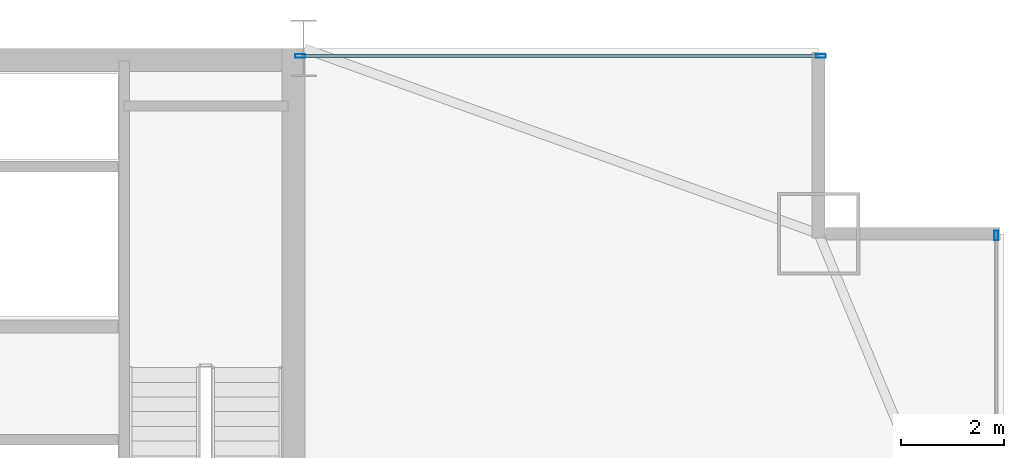
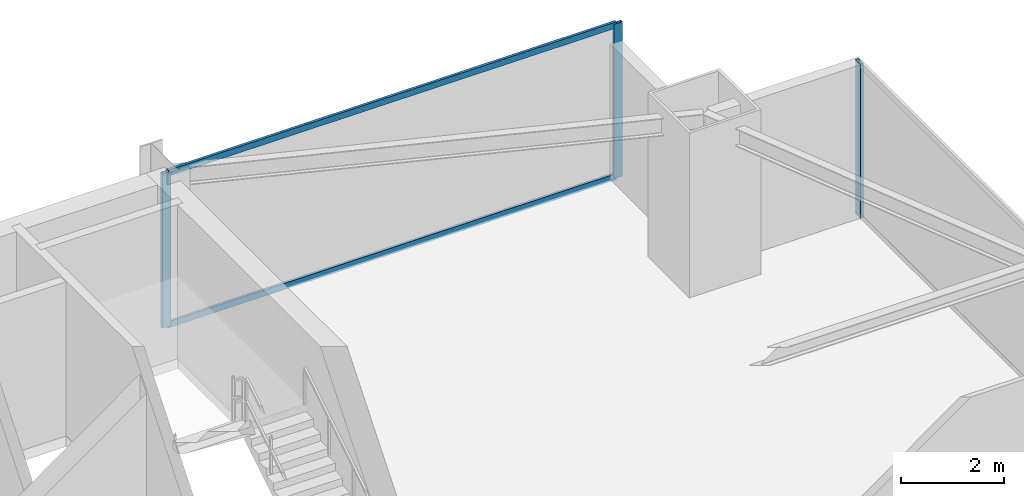
# One storey, part 24 of 30: 5 members, 2 elements without a shape of their own.
"""IFC4 building model written with IfcOpenShell, lengths in metres."""

from ifc_helpers import new_model, si_unit, direction, frame, origin, origin_2d, place, context, subcontext, project, spatial, hollow_rectangle, extrude, source, transform, mapped, material, layer, layer_set, material_profile, profile_set, type_object, type_shapes, element, aggregate, save


model = new_model("IFC4")

# Units and contexts
model_context = context("Model", 3, precision=1e-05, world=origin(), true_north=direction((0.0, 1.0)))
body_context = subcontext(model_context, "Body", "Model", "MODEL_VIEW")
ifc_project = project(units=[si_unit("LENGTHUNIT", "METRE"), si_unit("AREAUNIT", "SQUARE_METRE"), si_unit("VOLUMEUNIT", "CUBIC_METRE"), si_unit("PLANEANGLEUNIT", "RADIAN"), si_unit("MASSUNIT", "GRAM", prefix="KILO")], contexts=[model_context])

# Site, building, storey
site_placement = place(None, origin())
site = spatial("IfcSite", under=ifc_project, at=site_placement, CompositionType="ELEMENT")
building_placement = place(site_placement, origin())
building = spatial("IfcBuilding", under=site, at=building_placement, Name="Varnel Quay Broadcast Tower", CompositionType="ELEMENT")
storey_placement = place(building_placement, frame((0.0, 0.0, 62.699951171875)))
storey = spatial("IfcBuildingStorey", under=building, at=storey_placement, Name="L14", CompositionType="ELEMENT", Elevation=62.699951171875)

# Curtain wall, members
ifc_material = material(Name="Anodised Bronze Aluminium 6063-T6", Category="aluminium")
ifc_layer = layer(ifc_material, 0.18994140625, Name="Anodised Bronze Aluminium 6063-T6")
ifc_layer_set = layer_set([ifc_layer], Name="Anodised Bronze Aluminium 6063-T6")
curtain_wall_type = type_object("IfcCurtainWallType", Name="CW_LowerTower", PredefinedType="NOTDEFINED", material=ifc_layer_set)
curtain_wall_1_placement = place(storey_placement, origin())
curtain_wall_1 = element("IfcCurtainWall", 1, at=curtain_wall_1_placement, inside=storey, type_object=curtain_wall_type, Name="L14 NE Wing Curtain Wall", PredefinedType="NOTDEFINED")
ifc_material_profile_1 = material_profile(ifc_material, hollow_rectangle(XDim=0.06005859375, YDim=0.14501953125, WallThickness=0.00341796875, at=origin_2d()), Name="ALU60X145X3.5")
ifc_profile_set_1 = profile_set([ifc_material_profile_1], Name="Anodised Bronze Aluminium 6063-T6")
member_type_1 = type_object("IfcMemberType", Name="Tran_CWS-02", PredefinedType="USERDEFINED", material=ifc_profile_set_1)
shared_shape_1 = source(origin(), body_context, "Body", "SweptSolid", [
    extrude(hollow_rectangle(XDim=0.06005859375, YDim=0.14501953125, WallThickness=0.00341796875, at=origin_2d()), origin(), (0.0, 0.0, 1.0), 10.039794921875),
])
type_shapes(member_type_1, [shared_shape_1])
member_1_placement = place(storey_placement, frame((52.3701171875, 46.64990234375, 0.030029296875), z_axis=(1.0, 0.0, 0.0), x_axis=(0.0, 1.0, 0.0)))
member_1 = element("IfcMember", 2, at=member_1_placement, type_object=member_type_1, Name="CWS-02 transom 1.1", ObjectType="TRANSOM", PredefinedType="USERDEFINED", context=body_context, shape_type="MappedRepresentation", body=[
    mapped(shared_shape_1, transform((0.0, 0.0, 0.0), x_axis=(1.0, 0.0, 0.0), y_axis=(0.0, 1.0, 0.0), z_axis=(0.0, 0.0, 1.0), scale=1.0)),
])
member_2_placement = place(storey_placement, frame((52.3701171875, 46.64990234375, 3.6201171875), z_axis=(1.0, 0.0, 0.0), x_axis=(0.0, 1.0, 0.0)))
member_2 = element("IfcMember", 3, at=member_2_placement, type_object=member_type_1, Name="CWS-02 transom 1.2", ObjectType="TRANSOM", PredefinedType="USERDEFINED", context=body_context, shape_type="MappedRepresentation", body=[
    mapped(shared_shape_1, transform((0.0, 0.0, 0.0), x_axis=(1.0, 0.0, 0.0), y_axis=(0.0, 1.0, 0.0), z_axis=(0.0, 0.0, 1.0), scale=1.0)),
])

# Curtain wall, member
curtain_wall_2_placement = place(storey_placement, origin())
curtain_wall_2 = element("IfcCurtainWall", 4, at=curtain_wall_2_placement, inside=storey, type_object=curtain_wall_type, Name="L14 East Unitised Curtain Wall", PredefinedType="NOTDEFINED")
ifc_material_profile_2 = material_profile(ifc_material, hollow_rectangle(XDim=0.070068359375, YDim=0.18994140625, WallThickness=0.00390625, at=origin_2d()), Name="ALU70X190X4")
ifc_profile_set_2 = profile_set([ifc_material_profile_2], Name="Anodised Bronze Aluminium 6063-T6")
member_type_2 = type_object("IfcMemberType", Name="Mull_CWS-02", PredefinedType="MULLION", material=ifc_profile_set_2)
shared_shape_2 = source(origin(), body_context, "Body", "SweptSolid", [
    extrude(hollow_rectangle(XDim=0.070068359375, YDim=0.18994140625, WallThickness=0.00390625, at=origin_2d()), origin(), (0.0, 0.0, 1.0), 3.650146484375),
])
type_shapes(member_type_2, [shared_shape_2])
member_3_placement = place(storey_placement, frame((65.85009765625, 43.1650390625, 0.0), z_axis=(0.0, 0.0, 1.0), x_axis=(-1.0, 0.0, 0.0)))
member_3 = element("IfcMember", 5, at=member_3_placement, type_object=member_type_2, Name="CWS-02 mullion 4", PredefinedType="MULLION", context=body_context, shape_type="MappedRepresentation", body=[
    mapped(shared_shape_2, transform((0.0, 0.0, 0.0), x_axis=(1.0, 0.0, 0.0), y_axis=(0.0, 1.0, 0.0), z_axis=(0.0, 0.0, 1.0), scale=1.0)),
])
aggregate(curtain_wall_2, [member_3])

# Member
member_4_placement = place(storey_placement, frame((52.3349609375, 46.64990234375, 0.0), z_axis=(0.0, 0.0, 1.0), x_axis=(0.0, 1.0, 0.0)))
member_4 = element("IfcMember", 6, at=member_4_placement, type_object=member_type_2, Name="CWS-02 mullion 1", PredefinedType="MULLION", context=body_context, shape_type="MappedRepresentation", body=[
    mapped(shared_shape_2, transform((0.0, 0.0, 0.0), x_axis=(1.0, 0.0, 0.0), y_axis=(0.0, 1.0, 0.0), z_axis=(0.0, 0.0, 1.0), scale=1.0)),
])

member_5_placement = place(storey_placement, frame((62.445068359375, 46.64990234375, 0.0), z_axis=(0.0, 0.0, 1.0), x_axis=(0.0, 1.0, 0.0)))
member_5 = element("IfcMember", 7, at=member_5_placement, type_object=member_type_2, Name="CWS-02 mullion 2", PredefinedType="MULLION", context=body_context, shape_type="MappedRepresentation", body=[
    mapped(shared_shape_2, transform((0.0, 0.0, 0.0), x_axis=(1.0, 0.0, 0.0), y_axis=(0.0, 1.0, 0.0), z_axis=(0.0, 0.0, 1.0), scale=1.0)),
])

aggregate(curtain_wall_1, [member_4, member_5, member_1, member_2])

save(model, "model.ifc")
